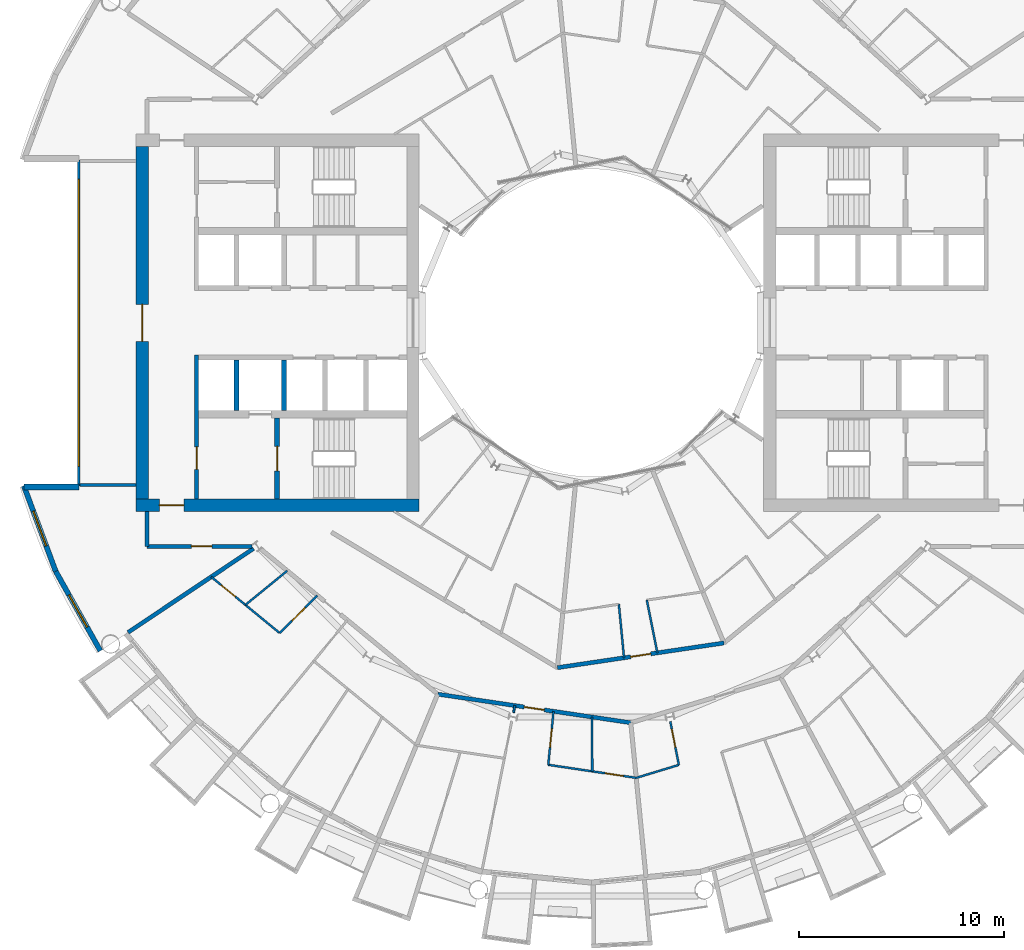
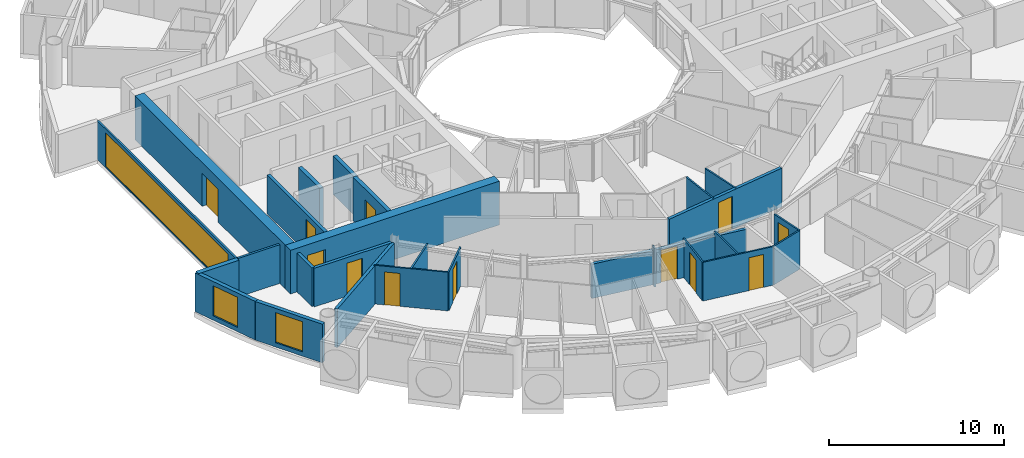
# One storey, part 15 of 28: 27 walls, 12 doors, 3 windows, 15 openings.
"""IFC4 building model written with IfcOpenShell, lengths in metres."""

from ifc_helpers import new_model, si_unit, direction, frame, frame_2d, origin, place, context, subcontext, project, spatial, rectangle, extrude, material, layer, layer_set, type_object, element, fill, save


model = new_model("IFC4")

# Units and contexts
model_context = context("Model", 3, precision=1e-05, world=origin(), true_north=direction((0.0, 1.0)))
body_context = subcontext(model_context, "Body", "Model", "MODEL_VIEW")
ifc_project = project(units=[si_unit("LENGTHUNIT", "METRE"), si_unit("AREAUNIT", "SQUARE_METRE"), si_unit("VOLUMEUNIT", "CUBIC_METRE"), si_unit("PLANEANGLEUNIT", "RADIAN"), si_unit("MASSUNIT", "GRAM", prefix="KILO")], contexts=[model_context])

# Site, building, storey
site_placement = place(None, origin())
site = spatial("IfcSite", under=ifc_project, at=site_placement, CompositionType="ELEMENT")
building_placement = place(site_placement, origin())
building = spatial("IfcBuilding", under=site, at=building_placement, Name="Maasbend Ring Residences", CompositionType="ELEMENT")
storey_placement = place(building_placement, frame((0.0, 0.0, 133.0)))
storey = spatial("IfcBuildingStorey", under=building, at=storey_placement, Name="L38", CompositionType="ELEMENT", Elevation=133.0)

# Wall, opening, door
ifc_material_1 = material(Name="Concrete C60/75", Category="concrete")
ifc_layer_1 = layer(ifc_material_1, 0.25)
ifc_layer_set_1 = layer_set([ifc_layer_1], Name="Concrete C60/75")
wall_type_1 = type_object("IfcWallType", Name="CORE WALL 250 C60/75", PredefinedType="SHEAR", material=ifc_layer_set_1)
wall_1_placement = place(storey_placement, frame((-15.324951171875, -4.64990234375, 0.0), z_axis=(0.0, 0.0, 1.0), x_axis=(0.0, -1.0, 0.0)))
wall_1 = element("IfcWall", 1, at=wall_1_placement, inside=storey, type_object=wall_type_1, Name="L38 core W wall STEN", PredefinedType="SHEAR", context=body_context, shape_type="SweptSolid", body=[
    extrude(rectangle(XDim=3.9501953125, YDim=0.25, at=frame_2d((1.97509765625, 0.0))), origin(), (0.0, 0.0, 1.0), 3.050048828125),
])
opening_1_placement = place(wall_1_placement, frame((1.375, 0.0, 0.0)))
opening_1 = element("IfcOpeningElement", 2, at=opening_1_placement, cuts=wall_1, Name="Opening D-W3810", PredefinedType="OPENING", context=body_context, shape_type="SweptSolid", body=[
    extrude(rectangle(XDim=1.199951171875, YDim=2.300048828125, at=frame_2d((0.60009765625, 1.14990234375))), frame((0.0, 0.135009765625, 0.0), z_axis=(0.0, -1.0, 0.0), x_axis=(1.0, 0.0, 0.0)), (0.0, 0.0, 1.0), 0.27001953125),
])
ifc_material_2 = material(Name="Steel, powder coated", Category="steel")
door_type_1 = type_object("IfcDoorType", Name="STAIR DOOR 1200 X 2300 FD60", OperationType="NOTDEFINED", PredefinedType="DOOR", material=ifc_material_2)
door_1_placement = place(opening_1_placement, origin())
door_1 = element("IfcDoor", 3, at=door_1_placement, inside=storey, type_object=door_type_1, Name="Stair door ST-W L38", OperationType="SINGLE_SWING_LEFT", OverallHeight=2.300048828125, OverallWidth=1.199951171875, PredefinedType="DOOR", context=body_context, shape_type="SweptSolid", body=[
    extrude(rectangle(XDim=1.199951171875, YDim=2.300048828125, at=frame_2d((0.60009765625, 1.14990234375))), frame((0.0, 0.02490234375, 0.0), z_axis=(0.0, -1.0, 0.0), x_axis=(1.0, 0.0, 0.0)), (0.0, 0.0, 1.0), 0.050048828125),
])
fill(opening_1, door_1)

ifc_material_3 = material(Name="Concrete C60/75", Category="concrete")
ifc_layer_2 = layer(ifc_material_3, 0.60009765625)
ifc_layer_set_2 = layer_set([ifc_layer_2], Name="Concrete C60/75")
wall_type_2 = type_object("IfcWallType", Name="CORE WALL 600 C60/75", PredefinedType="SHEAR", material=ifc_layer_set_2)
wall_2_placement = place(storey_placement, frame((-22.199951171875, -8.89990234375, 0.0), z_axis=(0.0, 0.0, 1.0), x_axis=(1.0, 0.0, 0.0)))
wall_2 = element("IfcWall", 4, at=wall_2_placement, inside=storey, type_object=wall_type_2, Name="L38 core W wall PN", PredefinedType="SHEAR", context=body_context, shape_type="SweptSolid", body=[
    extrude(rectangle(XDim=13.800048828125, YDim=0.60009765625, at=frame_2d((6.89990234375, 0.0))), origin(), (0.0, 0.0, 1.0), 3.050048828125),
])
opening_2_placement = place(wall_2_placement, frame((1.125, 0.0, 0.0)))
opening_2 = element("IfcOpeningElement", 5, at=opening_2_placement, cuts=wall_2, Name="Opening D-W3814", PredefinedType="OPENING", context=body_context, shape_type="SweptSolid", body=[
    extrude(rectangle(XDim=1.199951171875, YDim=2.300048828125, at=frame_2d((0.60009765625, 1.14990234375))), frame((0.0, 0.31005859375, 0.0), z_axis=(0.0, -1.0, 0.0), x_axis=(1.0, 0.0, 0.0)), (0.0, 0.0, 1.0), 0.6201171875),
])
ifc_material_4 = material(Name="Steel, powder coated", Category="steel")
door_type_2 = type_object("IfcDoorType", Name="CORRIDOR DOOR 1200 X 2300 FD30S", OperationType="NOTDEFINED", PredefinedType="DOOR", material=ifc_material_4)
door_2_placement = place(opening_2_placement, origin())
door_2 = element("IfcDoor", 6, at=door_2_placement, inside=storey, type_object=door_type_2, Name="Corridor door L38", OperationType="SINGLE_SWING_RIGHT", OverallHeight=2.300048828125, OverallWidth=1.199951171875, PredefinedType="DOOR", context=body_context, shape_type="SweptSolid", body=[
    extrude(rectangle(XDim=1.199951171875, YDim=2.300048828125, at=frame_2d((0.60009765625, 1.14990234375))), frame((0.0, 0.02490234375, 0.0), z_axis=(0.0, -1.0, 0.0), x_axis=(1.0, 0.0, 0.0)), (0.0, 0.0, 1.0), 0.050048828125),
])
fill(opening_2, door_2)

wall_3_placement = place(storey_placement, frame((-21.89990234375, -8.60009765625, 0.0), z_axis=(0.0, 0.0, 1.0), x_axis=(0.0, 1.0, 0.0)))
wall_3 = element("IfcWall", 7, at=wall_3_placement, inside=storey, type_object=wall_type_2, Name="L38 core W wall POUT", PredefinedType="SHEAR", context=body_context, shape_type="SweptSolid", body=[
    extrude(rectangle(XDim=17.2001953125, YDim=0.60009765625, at=frame_2d((8.60009765625, 0.0))), origin(), (0.0, 0.0, 1.0), 3.050048828125),
])
opening_3_placement = place(wall_3_placement, frame((7.699951171875, 0.0, 0.0)))
opening_3 = element("IfcOpeningElement", 8, at=opening_3_placement, cuts=wall_3, Name="Opening D-W3816", PredefinedType="OPENING", context=body_context, shape_type="SweptSolid", body=[
    extrude(rectangle(XDim=1.800048828125, YDim=2.300048828125, at=frame_2d((0.89990234375, 1.14990234375))), frame((0.0, 0.31005859375, 0.0), z_axis=(0.0, -1.0, 0.0), x_axis=(1.0, 0.0, 0.0)), (0.0, 0.0, 1.0), 0.6201171875),
])
ifc_material_5 = material(Name="Aluminium frame, clear glass", Category="aluminium")
door_type_3 = type_object("IfcDoorType", Name="ENTRANCE DOOR 1800 X 2300 FD60", OperationType="NOTDEFINED", PredefinedType="DOOR", material=ifc_material_5)
door_3_placement = place(opening_3_placement, origin())
door_3 = element("IfcDoor", 9, at=door_3_placement, inside=storey, type_object=door_type_3, Name="Lobby glazed door L38", OperationType="SINGLE_SWING_LEFT", OverallHeight=2.300048828125, OverallWidth=1.800048828125, PredefinedType="DOOR", context=body_context, shape_type="SweptSolid", body=[
    extrude(rectangle(XDim=1.800048828125, YDim=2.300048828125, at=frame_2d((0.89990234375, 1.14990234375))), frame((0.0, 0.02490234375, 0.0), z_axis=(0.0, -1.0, 0.0), x_axis=(1.0, 0.0, 0.0)), (0.0, 0.0, 1.0), 0.050048828125),
])
fill(opening_3, door_3)

ifc_material_6 = material(Name="Concrete C30/37", Category="concrete")
ifc_layer_3 = layer(ifc_material_6, 0.199951171875)
ifc_layer_set_3 = layer_set([ifc_layer_3], Name="Concrete C30/37")
wall_type_3 = type_object("IfcWallType", Name="CORRIDOR WALL 200 CONCRETE", PredefinedType="PARTITIONING", material=ifc_layer_set_3)
wall_4_placement = place(storey_placement, frame((-7.4951171875, -18.111083984375, 0.0), z_axis=(0.0, 0.0, 1.0), x_axis=(0.989215286911, -0.146468823102, 0.0)))
wall_4 = element("IfcWall", 10, at=wall_4_placement, inside=storey, type_object=wall_type_3, Name="U-L38-w012", PredefinedType="PARTITIONING", context=body_context, shape_type="SweptSolid", body=[
    extrude(rectangle(XDim=9.531005859375, YDim=0.199951171875, at=frame_2d((4.765625, 0.0))), origin(), (0.0, 0.0, 1.0), 2.389892578125),
])
opening_4_placement = place(wall_4_placement, frame((4.260009765625, 0.0, 0.0)))
opening_4 = element("IfcOpeningElement", 11, at=opening_4_placement, cuts=wall_4, Name="Opening D-3843", PredefinedType="OPENING", context=body_context, shape_type="SweptSolid", body=[
    extrude(rectangle(XDim=1.0, YDim=2.300048828125, at=frame_2d((0.5, 1.14990234375))), frame((0.0, 0.10986328125, 0.0), z_axis=(0.0, -1.0, 0.0), x_axis=(1.0, 0.0, 0.0)), (0.0, 0.0, 1.0), 0.219970703125),
])
ifc_material_7 = material(Name="Timber, fire-rated, painted", Category="wood")
door_type_4 = type_object("IfcDoorType", Name="FLAT ENTRANCE DOOR 1000 X 2300 FIRE-RATED", OperationType="NOTDEFINED", PredefinedType="DOOR", material=ifc_material_7)
door_4_placement = place(opening_4_placement, origin())
door_4 = element("IfcDoor", 12, at=door_4_placement, inside=storey, type_object=door_type_4, Name="D-3843", OperationType="SINGLE_SWING_LEFT", OverallHeight=2.300048828125, OverallWidth=1.0, PredefinedType="DOOR", context=body_context, shape_type="SweptSolid", body=[
    extrude(rectangle(XDim=1.0, YDim=2.300048828125, at=frame_2d((0.5, 1.14990234375))), frame((0.0, 0.02490234375, 0.0), z_axis=(0.0, -1.0, 0.0), x_axis=(1.0, 0.0, 0.0)), (0.0, 0.0, 1.0), 0.050048828125),
])
fill(opening_4, door_4)

wall_5_placement = place(storey_placement, frame((-1.657958984375, -16.819091796875, 0.0), z_axis=(0.0, 0.0, 1.0), x_axis=(0.989191327347, 0.146630549004, 0.0)))
wall_5 = element("IfcWall", 13, at=wall_5_placement, inside=storey, type_object=wall_type_3, Name="U-L38-w016", PredefinedType="PARTITIONING", context=body_context, shape_type="SweptSolid", body=[
    extrude(rectangle(XDim=8.2119140625, YDim=0.199951171875, at=frame_2d((4.10595703125, 0.0))), origin(), (0.0, 0.0, 1.0), 2.699951171875),
])
opening_5_placement = place(wall_5_placement, frame((3.60693359375, 0.0, 0.0)))
opening_5 = element("IfcOpeningElement", 14, at=opening_5_placement, cuts=wall_5, Name="Opening D-3864", PredefinedType="OPENING", context=body_context, shape_type="SweptSolid", body=[
    extrude(rectangle(XDim=1.0, YDim=2.300048828125, at=frame_2d((0.5, 1.14990234375))), frame((0.0, 0.10986328125, 0.0), z_axis=(0.0, -1.0, 0.0), x_axis=(1.0, 0.0, 0.0)), (0.0, 0.0, 1.0), 0.219970703125),
])
door_5_placement = place(opening_5_placement, origin())
door_5 = element("IfcDoor", 15, at=door_5_placement, inside=storey, type_object=door_type_4, Name="D-3864", OperationType="SINGLE_SWING_RIGHT", OverallHeight=2.300048828125, OverallWidth=1.0, PredefinedType="DOOR", context=body_context, shape_type="SweptSolid", body=[
    extrude(rectangle(XDim=1.0, YDim=2.300048828125, at=frame_2d((0.5, 1.14990234375))), frame((0.0, 0.02490234375, 0.0), z_axis=(0.0, -1.0, 0.0), x_axis=(1.0, 0.0, 0.0)), (0.0, 0.0, 1.0), 0.050048828125),
])
fill(opening_5, door_5)

wall_6_placement = place(storey_placement, frame((-21.675048828125, -10.89990234375, 0.0), z_axis=(0.0, 0.0, 1.0), x_axis=(0.99999670426, -0.002567385634, 0.0)))
wall_6 = element("IfcWall", 16, at=wall_6_placement, inside=storey, type_object=wall_type_3, Name="U-L38-w025", PredefinedType="PARTITIONING", context=body_context, shape_type="SweptSolid", body=[
    extrude(rectangle(XDim=5.135009765625, YDim=0.199951171875, at=frame_2d((2.5673828125, 0.0))), origin(), (0.0, 0.0, 1.0), 2.699951171875),
])
opening_6_placement = place(wall_6_placement, frame((2.1708984375, 0.0, 0.0)))
opening_6 = element("IfcOpeningElement", 17, at=opening_6_placement, cuts=wall_6, Name="Opening D-3871", PredefinedType="OPENING", context=body_context, shape_type="SweptSolid", body=[
    extrude(rectangle(XDim=1.0, YDim=2.300048828125, at=frame_2d((0.5, 1.14990234375))), frame((0.0, 0.10986328125, 0.0), z_axis=(0.0, -1.0, 0.0), x_axis=(1.0, 0.0, 0.0)), (0.0, 0.0, 1.0), 0.219970703125),
])
ifc_material_8 = material(Name="Timber, painted", Category="wood")
door_type_5 = type_object("IfcDoorType", Name="ROOM DOOR 1000 X 2300", OperationType="NOTDEFINED", PredefinedType="DOOR", material=ifc_material_8)
door_6_placement = place(opening_6_placement, origin())
door_6 = element("IfcDoor", 18, at=door_6_placement, inside=storey, type_object=door_type_5, Name="D-3871", OperationType="SINGLE_SWING_RIGHT", OverallHeight=2.300048828125, OverallWidth=1.0, PredefinedType="DOOR", context=body_context, shape_type="SweptSolid", body=[
    extrude(rectangle(XDim=1.0, YDim=2.300048828125, at=frame_2d((0.5, 1.14990234375))), frame((0.0, 0.02490234375, 0.0), z_axis=(0.0, -1.0, 0.0), x_axis=(1.0, 0.0, 0.0)), (0.0, 0.0, 1.0), 0.050048828125),
])
fill(opening_6, door_6)

# Wall
wall_7_placement = place(storey_placement, frame((-21.675048828125, -10.89990234375, 0.0), z_axis=(0.0, 0.0, 1.0), x_axis=(0.0, 1.0, 0.0)))
element("IfcWall", 19, at=wall_7_placement, inside=storey, type_object=wall_type_3, Name="U-L38-w123", PredefinedType="PARTITIONING", context=body_context, shape_type="SweptSolid", body=[
    extrude(rectangle(XDim=1.699951171875, YDim=0.199951171875, at=frame_2d((0.85009765625, 0.0))), origin(), (0.0, 0.0, 1.0), 2.699951171875),
])

# Wall, opening, window
ifc_material_9 = material(Name="Aluminium clad insulated panel", Category="aluminium")
ifc_layer_4 = layer(ifc_material_9, 0.25)
ifc_layer_set_4 = layer_set([ifc_layer_4], Name="EW-HORN")
wall_type_4 = type_object("IfcWallType", Name="EW-HORN", PredefinedType="SOLIDWALL", material=ifc_layer_set_4)
wall_8_placement = place(storey_placement, frame((-27.681884765625, -7.945068359375, 0.0), z_axis=(0.0, 0.0, 1.0), x_axis=(0.349247811493, -0.937030397675, 0.0)))
wall_8 = element("IfcWall", 20, at=wall_8_placement, inside=storey, type_object=wall_type_4, Name="Horn wall 3.1", PredefinedType="SOLIDWALL", context=body_context, shape_type="SweptSolid", body=[
    extrude(rectangle(XDim=4.4521484375, YDim=0.25, at=frame_2d((2.22607421875, 0.0))), origin(), (0.0, 0.0, 1.0), 2.699951171875),
])
opening_7_placement = place(wall_8_placement, frame((1.32666015625, 0.0, 0.300048828125)))
opening_7 = element("IfcOpeningElement", 21, at=opening_7_placement, cuts=wall_8, Name="Opening W-BX", PredefinedType="OPENING", context=body_context, shape_type="SweptSolid", body=[
    extrude(rectangle(XDim=1.800048828125, YDim=2.10009765625, at=frame_2d((0.89990234375, 1.050048828125))), frame((0.0, 0.135009765625, 0.0), z_axis=(0.0, -1.0, 0.0), x_axis=(1.0, 0.0, 0.0)), (0.0, 0.0, 1.0), 0.27001953125),
])
ifc_material_10 = material(Name="Aluminium and clear glass", Category="aluminium")
window_type_1 = type_object("IfcWindowType", Name="W-BX", PartitioningType="DOUBLE_PANEL_VERTICAL", PredefinedType="WINDOW", material=ifc_material_10)
window_1_placement = place(opening_7_placement, origin())
window_1 = element("IfcWindow", 22, at=window_1_placement, inside=storey, type_object=window_type_1, Name="Horn window 3.1", OverallHeight=2.10009765625, OverallWidth=1.800048828125, PartitioningType="SINGLE_PANEL", PredefinedType="WINDOW", context=body_context, shape_type="SweptSolid", body=[
    extrude(rectangle(XDim=1.800048828125, YDim=2.10009765625, at=frame_2d((0.89990234375, 1.050048828125))), frame((0.0, 0.030029296875, 0.0), z_axis=(0.0, -1.0, 0.0), x_axis=(1.0, 0.0, 0.0)), (0.0, 0.0, 1.0), 0.06005859375),
])
fill(opening_7, window_1)

wall_9_placement = place(storey_placement, frame((-26.126953125, -12.116943359375, 0.0), z_axis=(0.0, 0.0, 1.0), x_axis=(0.489696356642, -0.871893042919, 0.0)))
wall_9 = element("IfcWall", 23, at=wall_9_placement, inside=storey, type_object=wall_type_4, Name="Horn wall 3.2", PredefinedType="SOLIDWALL", context=body_context, shape_type="SweptSolid", body=[
    extrude(rectangle(XDim=4.45361328125, YDim=0.25, at=frame_2d((2.226806640625, 0.0))), origin(), (0.0, 0.0, 1.0), 2.699951171875),
])
opening_8_placement = place(wall_9_placement, frame((1.32666015625, 0.0, 0.300048828125)))
opening_8 = element("IfcOpeningElement", 24, at=opening_8_placement, cuts=wall_9, Name="Opening W-BX", PredefinedType="OPENING", context=body_context, shape_type="SweptSolid", body=[
    extrude(rectangle(XDim=1.800048828125, YDim=2.10009765625, at=frame_2d((0.89990234375, 1.050048828125))), frame((0.0, 0.135009765625, 0.0), z_axis=(0.0, -1.0, 0.0), x_axis=(1.0, 0.0, 0.0)), (0.0, 0.0, 1.0), 0.27001953125),
])
window_2_placement = place(opening_8_placement, origin())
window_2 = element("IfcWindow", 25, at=window_2_placement, inside=storey, type_object=window_type_1, Name="Horn window 3.2", OverallHeight=2.10009765625, OverallWidth=1.800048828125, PartitioningType="SINGLE_PANEL", PredefinedType="WINDOW", context=body_context, shape_type="SweptSolid", body=[
    extrude(rectangle(XDim=1.800048828125, YDim=2.10009765625, at=frame_2d((0.89990234375, 1.050048828125))), frame((0.0, 0.030029296875, 0.0), z_axis=(0.0, -1.0, 0.0), x_axis=(1.0, 0.0, 0.0)), (0.0, 0.0, 1.0), 0.06005859375),
])
fill(opening_8, window_2)

# Wall
ifc_material_11 = material(Name="Aluminium clad insulated panel", Category="aluminium")
ifc_layer_5 = layer(ifc_material_11, 0.300048828125)
ifc_layer_set_5 = layer_set([ifc_layer_5], Name="EW-RET")
wall_type_5 = type_object("IfcWallType", Name="EW-RET", PredefinedType="SOLIDWALL", material=ifc_layer_set_5)
wall_10_placement = place(storey_placement, frame((-25.0, -8.0, 0.0), z_axis=(0.0, 0.0, 1.0), x_axis=(-1.0, 0.0, 0.0)))
element("IfcWall", 26, at=wall_10_placement, inside=storey, type_object=wall_type_5, Name="Notch return wall west south", PredefinedType="SOLIDWALL", context=body_context, shape_type="SweptSolid", body=[
    extrude(rectangle(XDim=2.6669921875, YDim=0.300048828125, at=frame_2d((1.33349609375, 0.0))), origin(), (0.0, 0.0, 1.0), 2.699951171875),
])

# Wall, opening, window
ifc_material_12 = material(Name="Aluminium frame and clear glass", Category="aluminium")
ifc_layer_6 = layer(ifc_material_12, 0.1201171875)
ifc_layer_set_6 = layer_set([ifc_layer_6], Name="GLAZED SCREEN WALL 120 EI 60")
wall_type_6 = type_object("IfcWallType", Name="GLAZED SCREEN WALL 120 EI 60", PredefinedType="PARTITIONING", material=ifc_layer_set_6)
wall_11_placement = place(storey_placement, frame((-25.0, 7.949951171875, 0.0), z_axis=(0.0, 0.0, 1.0), x_axis=(0.0, -1.0, 0.0)))
wall_11 = element("IfcWall", 27, at=wall_11_placement, inside=storey, type_object=wall_type_6, Name="L38 core W wall FACE", PredefinedType="PARTITIONING", context=body_context, shape_type="SweptSolid", body=[
    extrude(rectangle(XDim=15.89990234375, YDim=0.1201171875, at=frame_2d((7.949951171875, 0.0))), origin(), (0.0, 0.0, 1.0), 2.699951171875),
])
opening_9_placement = place(wall_11_placement, frame((0.949951171875, 0.0, 0.10009765625)))
opening_9 = element("IfcOpeningElement", 28, at=opening_9_placement, cuts=wall_11, Name="Opening W-W3802", PredefinedType="OPENING", context=body_context, shape_type="SweptSolid", body=[
    extrude(rectangle(XDim=14.0, YDim=2.35009765625, at=frame_2d((7.0, 1.175048828125))), frame((0.0, 0.070068359375, 0.0), z_axis=(0.0, -1.0, 0.0), x_axis=(1.0, 0.0, 0.0)), (0.0, 0.0, 1.0), 0.14013671875),
])
ifc_material_13 = material(Name="Aluminium frame and clear glass", Category="aluminium")
window_type_2 = type_object("IfcWindowType", Name="FIXED WINDOW 14000 X 2350", PartitioningType="SINGLE_PANEL", PredefinedType="WINDOW", material=ifc_material_13)
window_3_placement = place(opening_9_placement, origin())
window_3 = element("IfcWindow", 29, at=window_3_placement, inside=storey, type_object=window_type_2, Name="Lobby window L38", OverallHeight=2.35009765625, OverallWidth=14.0, PartitioningType="SINGLE_PANEL", PredefinedType="WINDOW", context=body_context, shape_type="SweptSolid", body=[
    extrude(rectangle(XDim=14.0, YDim=2.35009765625, at=frame_2d((7.0, 1.175048828125))), frame((0.0, 0.030029296875, 0.0), z_axis=(0.0, -1.0, 0.0), x_axis=(1.0, 0.0, 0.0)), (0.0, 0.0, 1.0), 0.06005859375),
])
fill(opening_9, window_3)

# Wall
ifc_material_14 = material(Name="Gypsum board on steel studs", Category="steel")
ifc_layer_7 = layer(ifc_material_14, 0.10009765625)
ifc_layer_set_7 = layer_set([ifc_layer_7], Name="PARTITION 100 GYPSUM")
wall_type_7 = type_object("IfcWallType", Name="PARTITION 100 GYPSUM", PredefinedType="PARTITIONING", material=ifc_layer_set_7)
wall_12_placement = place(storey_placement, frame((2.179931640625, -22.195068359375, 0.0), z_axis=(0.0, 0.0, 1.0), x_axis=(0.956838221976, 0.290621088303, 0.0)))
element("IfcWall", 30, at=wall_12_placement, inside=storey, type_object=wall_type_7, Name="U-L38-w001", PredefinedType="PARTITIONING", context=body_context, shape_type="SweptSolid", body=[
    extrude(rectangle(XDim=2.175048828125, YDim=0.10009765625, at=frame_2d((1.08740234375, 0.0))), origin(), (0.0, 0.0, 1.0), 2.699951171875),
])

# Wall, opening, door
wall_13_placement = place(storey_placement, frame((-2.10205078125, -21.556884765625, 0.0), z_axis=(0.0, 0.0, 1.0), x_axis=(0.989171386505, -0.146765009863, 0.0)))
wall_13 = element("IfcWall", 31, at=wall_13_placement, inside=storey, type_object=wall_type_7, Name="U-L38-w006", PredefinedType="PARTITIONING", context=body_context, shape_type="SweptSolid", body=[
    extrude(rectangle(XDim=4.3349609375, YDim=0.10009765625, at=frame_2d((2.16748046875, 0.0))), origin(), (0.0, 0.0, 1.0), 2.699951171875),
])
opening_10_placement = place(wall_13_placement, frame((2.801025390625, 0.0, 0.0)))
opening_10 = element("IfcOpeningElement", 32, at=opening_10_placement, cuts=wall_13, Name="Opening D-3844", PredefinedType="OPENING", context=body_context, shape_type="SweptSolid", body=[
    extrude(rectangle(XDim=0.89990234375, YDim=2.300048828125, at=frame_2d((0.449951171875, 1.14990234375))), frame((0.0, 0.06005859375, 0.0), z_axis=(0.0, -1.0, 0.0), x_axis=(1.0, 0.0, 0.0)), (0.0, 0.0, 1.0), 0.1201171875),
])
ifc_material_15 = material(Name="Timber, painted", Category="wood")
door_type_6 = type_object("IfcDoorType", Name="INTERNAL DOOR 900 X 2300", OperationType="NOTDEFINED", PredefinedType="DOOR", material=ifc_material_15)
door_7_placement = place(opening_10_placement, origin())
door_7 = element("IfcDoor", 33, at=door_7_placement, inside=storey, type_object=door_type_6, Name="D-3844", OperationType="SINGLE_SWING_RIGHT", OverallHeight=2.300048828125, OverallWidth=0.89990234375, PredefinedType="DOOR", context=body_context, shape_type="SweptSolid", body=[
    extrude(rectangle(XDim=0.89990234375, YDim=2.300048828125, at=frame_2d((0.449951171875, 1.14990234375))), frame((0.0, 0.02490234375, 0.0), z_axis=(0.0, -1.0, 0.0), x_axis=(1.0, 0.0, 0.0)), (0.0, 0.0, 1.0), 0.050048828125),
])
fill(opening_10, door_7)

wall_14_placement = place(storey_placement, frame((-18.5419921875, -12.388916015625, 0.0), z_axis=(0.0, 0.0, 1.0), x_axis=(0.772975913823, -0.634435368379, 0.0)))
wall_14 = element("IfcWall", 34, at=wall_14_placement, inside=storey, type_object=wall_type_7, Name="U-L38-w009", PredefinedType="PARTITIONING", context=body_context, shape_type="SweptSolid", body=[
    extrude(rectangle(XDim=4.315673828125, YDim=0.10009765625, at=frame_2d((2.15771484375, 0.0))), origin(), (0.0, 0.0, 1.0), 2.699951171875),
])
opening_11_placement = place(wall_14_placement, frame((0.62890625, 0.0, 0.0)))
opening_11 = element("IfcOpeningElement", 35, at=opening_11_placement, cuts=wall_14, Name="Opening D-3837", PredefinedType="OPENING", context=body_context, shape_type="SweptSolid", body=[
    extrude(rectangle(XDim=0.89990234375, YDim=2.300048828125, at=frame_2d((0.449951171875, 1.14990234375))), frame((0.0, 0.06005859375, 0.0), z_axis=(0.0, -1.0, 0.0), x_axis=(1.0, 0.0, 0.0)), (0.0, 0.0, 1.0), 0.1201171875),
])
door_8_placement = place(opening_11_placement, origin())
door_8 = element("IfcDoor", 36, at=door_8_placement, inside=storey, type_object=door_type_6, Name="D-3837", OperationType="SINGLE_SWING_LEFT", OverallHeight=2.300048828125, OverallWidth=0.89990234375, PredefinedType="DOOR", context=body_context, shape_type="SweptSolid", body=[
    extrude(rectangle(XDim=0.89990234375, YDim=2.300048828125, at=frame_2d((0.449951171875, 1.14990234375))), frame((0.0, 0.02490234375, 0.0), z_axis=(0.0, -1.0, 0.0), x_axis=(1.0, 0.0, 0.0)), (0.0, 0.0, 1.0), 0.050048828125),
])
fill(opening_11, door_8)

# Wall
wall_15_placement = place(storey_placement, frame((-16.8740234375, -13.758056640625, 0.0), z_axis=(0.0, 0.0, 1.0), x_axis=(0.774979608522, 0.631986239072, 0.0)))
element("IfcWall", 37, at=wall_15_placement, inside=storey, type_object=wall_type_7, Name="U-L38-w034", PredefinedType="PARTITIONING", context=body_context, shape_type="SweptSolid", body=[
    extrude(rectangle(XDim=2.63623046875, YDim=0.10009765625, at=frame_2d((1.318115234375, 0.0))), origin(), (0.0, 0.0, 1.0), 2.699951171875),
])

# Wall, opening, door
wall_16_placement = place(storey_placement, frame((-15.201904296875, -15.131103515625, 0.0), z_axis=(0.0, 0.0, 1.0), x_axis=(0.708796844581, 0.705412668665, 0.0)))
wall_16 = element("IfcWall", 38, at=wall_16_placement, inside=storey, type_object=wall_type_7, Name="U-L38-w036", PredefinedType="PARTITIONING", context=body_context, shape_type="SweptSolid", body=[
    extrude(rectangle(XDim=2.59716796875, YDim=0.10009765625, at=frame_2d((1.298583984375, 0.0))), origin(), (0.0, 0.0, 1.0), 2.699951171875),
])
opening_12_placement = place(wall_16_placement, frame((0.84912109375, 0.0, 0.0)))
opening_12 = element("IfcOpeningElement", 39, at=opening_12_placement, cuts=wall_16, Name="Opening D-3838", PredefinedType="OPENING", context=body_context, shape_type="SweptSolid", body=[
    extrude(rectangle(XDim=0.89990234375, YDim=2.300048828125, at=frame_2d((0.449951171875, 1.14990234375))), frame((0.0, 0.06005859375, 0.0), z_axis=(0.0, -1.0, 0.0), x_axis=(1.0, 0.0, 0.0)), (0.0, 0.0, 1.0), 0.1201171875),
])
door_9_placement = place(opening_12_placement, origin())
door_9 = element("IfcDoor", 40, at=door_9_placement, inside=storey, type_object=door_type_6, Name="D-3838", OperationType="SINGLE_SWING_LEFT", OverallHeight=2.300048828125, OverallWidth=0.89990234375, PredefinedType="DOOR", context=body_context, shape_type="SweptSolid", body=[
    extrude(rectangle(XDim=0.89990234375, YDim=2.300048828125, at=frame_2d((0.449951171875, 1.14990234375))), frame((0.0, 0.02490234375, 0.0), z_axis=(0.0, -1.0, 0.0), x_axis=(1.0, 0.0, 0.0)), (0.0, 0.0, 1.0), 0.050048828125),
])
fill(opening_12, door_9)

# Wall
wall_17_placement = place(storey_placement, frame((-3.797119140625, -19.008056640625, 0.0), z_axis=(0.0, 0.0, 1.0), x_axis=(0.196386856719, 0.980526492507, 0.0)))
element("IfcWall", 41, at=wall_17_placement, inside=storey, type_object=wall_type_7, Name="U-L38-w056", PredefinedType="PARTITIONING", context=body_context, shape_type="SweptSolid", body=[
    extrude(rectangle(XDim=0.346923828125, YDim=0.10009765625, at=frame_2d((0.17333984375, 0.0))), origin(), (0.0, 0.0, 1.0), 2.699951171875),
])

# Wall, opening, door
wall_18_placement = place(storey_placement, frame((-2.10205078125, -21.556884765625, 0.0), z_axis=(0.0, 0.0, 1.0), x_axis=(0.096922256818, 0.995291955224, 0.0)))
wall_18 = element("IfcWall", 42, at=wall_18_placement, inside=storey, type_object=wall_type_7, Name="U-L38-w058", PredefinedType="PARTITIONING", context=body_context, shape_type="SweptSolid", body=[
    extrude(rectangle(XDim=2.622314453125, YDim=0.10009765625, at=frame_2d((1.31103515625, 0.0))), origin(), (0.0, 0.0, 1.0), 2.699951171875),
])
opening_13_placement = place(wall_18_placement, frame((0.861083984375, 0.0, 0.0)))
opening_13 = element("IfcOpeningElement", 43, at=opening_13_placement, cuts=wall_18, Name="Opening D-3845", PredefinedType="OPENING", context=body_context, shape_type="SweptSolid", body=[
    extrude(rectangle(XDim=0.89990234375, YDim=2.300048828125, at=frame_2d((0.449951171875, 1.14990234375))), frame((0.0, 0.06005859375, 0.0), z_axis=(0.0, -1.0, 0.0), x_axis=(1.0, 0.0, 0.0)), (0.0, 0.0, 1.0), 0.1201171875),
])
door_10_placement = place(opening_13_placement, origin())
door_10 = element("IfcDoor", 44, at=door_10_placement, inside=storey, type_object=door_type_6, Name="D-3845", OperationType="SINGLE_SWING_LEFT", OverallHeight=2.300048828125, OverallWidth=0.89990234375, PredefinedType="DOOR", context=body_context, shape_type="SweptSolid", body=[
    extrude(rectangle(XDim=0.89990234375, YDim=2.300048828125, at=frame_2d((0.449951171875, 1.14990234375))), frame((0.0, 0.02490234375, 0.0), z_axis=(0.0, -1.0, 0.0), x_axis=(1.0, 0.0, 0.0)), (0.0, 0.0, 1.0), 0.050048828125),
])
fill(opening_13, door_10)

# Walls
wall_19_placement = place(storey_placement, frame((0.0419921875, -21.875, 0.0), z_axis=(0.0, 0.0, 1.0), x_axis=(-0.001843314841, 0.999998301094, 0.0)))
element("IfcWall", 45, at=wall_19_placement, inside=storey, type_object=wall_type_7, Name="U-L38-w062", PredefinedType="PARTITIONING", context=body_context, shape_type="SweptSolid", body=[
    extrude(rectangle(XDim=2.64892578125, YDim=0.10009765625, at=frame_2d((1.324462890625, 0.0))), origin(), (0.0, 0.0, 1.0), 2.699951171875),
])
wall_20_placement = place(storey_placement, frame((1.339111328125, -13.72705078125, 0.0), z_axis=(0.0, 0.0, 1.0), x_axis=(0.096830025237, -0.995300932489, 0.0)))
element("IfcWall", 46, at=wall_20_placement, inside=storey, type_object=wall_type_7, Name="U-L38-w064", PredefinedType="PARTITIONING", context=body_context, shape_type="SweptSolid", body=[
    extrude(rectangle(XDim=2.6220703125, YDim=0.10009765625, at=frame_2d((1.31103515625, 0.0))), origin(), (0.0, 0.0, 1.0), 2.699951171875),
])
wall_21_placement = place(storey_placement, frame((2.7041015625, -13.52392578125, 0.0), z_axis=(0.0, 0.0, 1.0), x_axis=(0.195937128464, -0.980616460034, 0.0)))
element("IfcWall", 47, at=wall_21_placement, inside=storey, type_object=wall_type_7, Name="U-L38-w068", PredefinedType="PARTITIONING", context=body_context, shape_type="SweptSolid", body=[
    extrude(rectangle(XDim=2.622802734375, YDim=0.10009765625, at=frame_2d((1.3115234375, 0.0))), origin(), (0.0, 0.0, 1.0), 2.699951171875),
])

# Wall, opening, door
wall_22_placement = place(storey_placement, frame((3.846923828125, -19.43896484375, 0.0), z_axis=(0.0, 0.0, 1.0), x_axis=(0.194227580483, -0.980956495967, 0.0)))
wall_22 = element("IfcWall", 48, at=wall_22_placement, inside=storey, type_object=wall_type_7, Name="U-L38-w072", PredefinedType="PARTITIONING", context=body_context, shape_type="SweptSolid", body=[
    extrude(rectangle(XDim=2.163330078125, YDim=0.10009765625, at=frame_2d((1.08154296875, 0.0))), origin(), (0.0, 0.0, 1.0), 2.699951171875),
])
opening_14_placement = place(wall_22_placement, frame((0.383056640625, 0.0, 0.0)))
opening_14 = element("IfcOpeningElement", 49, at=opening_14_placement, cuts=wall_22, Name="Opening D-3850", PredefinedType="OPENING", context=body_context, shape_type="SweptSolid", body=[
    extrude(rectangle(XDim=0.89990234375, YDim=2.300048828125, at=frame_2d((0.449951171875, 1.14990234375))), frame((0.0, 0.06005859375, 0.0), z_axis=(0.0, -1.0, 0.0), x_axis=(1.0, 0.0, 0.0)), (0.0, 0.0, 1.0), 0.1201171875),
])
door_11_placement = place(opening_14_placement, origin())
door_11 = element("IfcDoor", 50, at=door_11_placement, inside=storey, type_object=door_type_6, Name="D-3850", OperationType="SINGLE_SWING_LEFT", OverallHeight=2.300048828125, OverallWidth=0.89990234375, PredefinedType="DOOR", context=body_context, shape_type="SweptSolid", body=[
    extrude(rectangle(XDim=0.89990234375, YDim=2.300048828125, at=frame_2d((0.449951171875, 1.14990234375))), frame((0.0, 0.02490234375, 0.0), z_axis=(0.0, -1.0, 0.0), x_axis=(1.0, 0.0, 0.0)), (0.0, 0.0, 1.0), 0.050048828125),
])
fill(opening_14, door_11)

# Walls
ifc_material_16 = material(Name="Gypsum board on steel studs", Category="steel")
ifc_layer_8 = layer(ifc_material_16, 0.14990234375)
ifc_layer_set_8 = layer_set([ifc_layer_8], Name="PARTITION 150 EI 60")
wall_type_8 = type_object("IfcWallType", Name="PARTITION 150 EI 60", PredefinedType="PARTITIONING", material=ifc_layer_set_8)
wall_23_placement = place(storey_placement, frame((-22.199951171875, -7.89990234375, 0.0), z_axis=(0.0, 0.0, 1.0), x_axis=(-1.0, 0.0, 0.0)))
element("IfcWall", 51, at=wall_23_placement, inside=storey, type_object=wall_type_8, Name="L38 core W wall CITN", PredefinedType="PARTITIONING", context=body_context, shape_type="SweptSolid", body=[
    extrude(rectangle(XDim=2.739990234375, YDim=0.14990234375, at=frame_2d((1.3701171875, 0.0))), origin(), (0.0, 0.0, 1.0), 2.699951171875),
])
ifc_material_17 = material(Name="Concrete C30/37", Category="concrete")
ifc_layer_9 = layer(ifc_material_17, 0.199951171875)
ifc_layer_set_9 = layer_set([ifc_layer_9], Name="Concrete C30/37")
wall_type_9 = type_object("IfcWallType", Name="PARTY WALL 200 CONCRETE", PredefinedType="PARTITIONING", material=ifc_layer_set_9)
wall_24_placement = place(storey_placement, frame((-22.594970703125, -15.096923828125, 0.0), z_axis=(0.0, 0.0, 1.0), x_axis=(0.831467903109, 0.555572791, 0.0)))
element("IfcWall", 52, at=wall_24_placement, inside=storey, type_object=wall_type_9, Name="U-L38-w029", PredefinedType="PARTITIONING", context=body_context, shape_type="SweptSolid", body=[
    extrude(rectangle(XDim=7.35791015625, YDim=0.199951171875, at=frame_2d((3.678955078125, 0.0))), origin(), (0.0, 0.0, 1.0), 2.699951171875),
])

# Wall, opening, door
ifc_material_18 = material(Name="Concrete C30/37", Category="concrete")
ifc_layer_10 = layer(ifc_material_18, 0.199951171875)
ifc_layer_set_10 = layer_set([ifc_layer_10], Name="Concrete C30/37")
wall_type_10 = type_object("IfcWallType", Name="SHAFT WALL 200 EI 120", PredefinedType="SOLIDWALL", material=ifc_layer_set_10)
wall_25_placement = place(storey_placement, frame((-19.25, -1.574951171875, 0.0), z_axis=(0.0, 0.0, 1.0), x_axis=(0.0, -1.0, 0.0)))
wall_25 = element("IfcWall", 53, at=wall_25_placement, inside=storey, type_object=wall_type_10, Name="L38 core W wall ENDN", PredefinedType="SOLIDWALL", context=body_context, shape_type="SweptSolid", body=[
    extrude(rectangle(XDim=7.025146484375, YDim=0.199951171875, at=frame_2d((3.5126953125, 0.0))), origin(), (0.0, 0.0, 1.0), 2.699951171875),
])
opening_15_placement = place(wall_25_placement, frame((4.47509765625, 0.0, 0.0)))
opening_15 = element("IfcOpeningElement", 54, at=opening_15_placement, cuts=wall_25, Name="Opening D-W3812", PredefinedType="OPENING", context=body_context, shape_type="SweptSolid", body=[
    extrude(rectangle(XDim=1.10009765625, YDim=2.300048828125, at=frame_2d((0.550048828125, 1.14990234375))), frame((0.0, 0.10986328125, 0.0), z_axis=(0.0, -1.0, 0.0), x_axis=(1.0, 0.0, 0.0)), (0.0, 0.0, 1.0), 0.219970703125),
])
ifc_material_19 = material(Name="Steel, powder coated", Category="steel")
door_type_7 = type_object("IfcDoorType", Name="LOBBY DOOR 1100 X 2300 FD60", OperationType="NOTDEFINED", PredefinedType="DOOR", material=ifc_material_19)
door_12_placement = place(opening_15_placement, origin())
door_12 = element("IfcDoor", 55, at=door_12_placement, inside=storey, type_object=door_type_7, Name="Lobby door L38", OperationType="SINGLE_SWING_LEFT", OverallHeight=2.300048828125, OverallWidth=1.10009765625, PredefinedType="DOOR", context=body_context, shape_type="SweptSolid", body=[
    extrude(rectangle(XDim=1.10009765625, YDim=2.300048828125, at=frame_2d((0.550048828125, 1.14990234375))), frame((0.0, 0.02490234375, 0.0), z_axis=(0.0, -1.0, 0.0), x_axis=(1.0, 0.0, 0.0)), (0.0, 0.0, 1.0), 0.050048828125),
])
fill(opening_15, door_12)

# Walls
ifc_material_20 = material(Name="Concrete C30/37", Category="concrete")
ifc_layer_11 = layer(ifc_material_20, 0.25)
ifc_layer_set_11 = layer_set([ifc_layer_11], Name="Concrete C30/37")
wall_type_11 = type_object("IfcWallType", Name="SHAFT WALL 250 EI 120", PredefinedType="SOLIDWALL", material=ifc_layer_set_11)
for number, where, z_axis, x_axis, name in (
    (56, (-15.0, -1.824951171875, 0.0), (0.0, 0.0, 1.0), (0.0, -1.0, 0.0), "L38 core W wall D150N"),
    (57, (-17.300048828125, -1.824951171875, 0.0), (0.0, 0.0, 1.0), (0.0, -1.0, 0.0), "L38 core W wall D173N"),
):
    element("IfcWall", number, at=place(storey_placement, frame(where, z_axis=z_axis, x_axis=x_axis)), inside=storey, type_object=wall_type_11, Name=name, PredefinedType="SOLIDWALL", context=body_context, shape_type="SweptSolid", body=[
        extrude(rectangle(XDim=2.449951171875, YDim=0.25, at=frame_2d((1.22509765625, 0.0))), origin(), (0.0, 0.0, 1.0), 2.699951171875),
    ])

save(model, "model.ifc")
